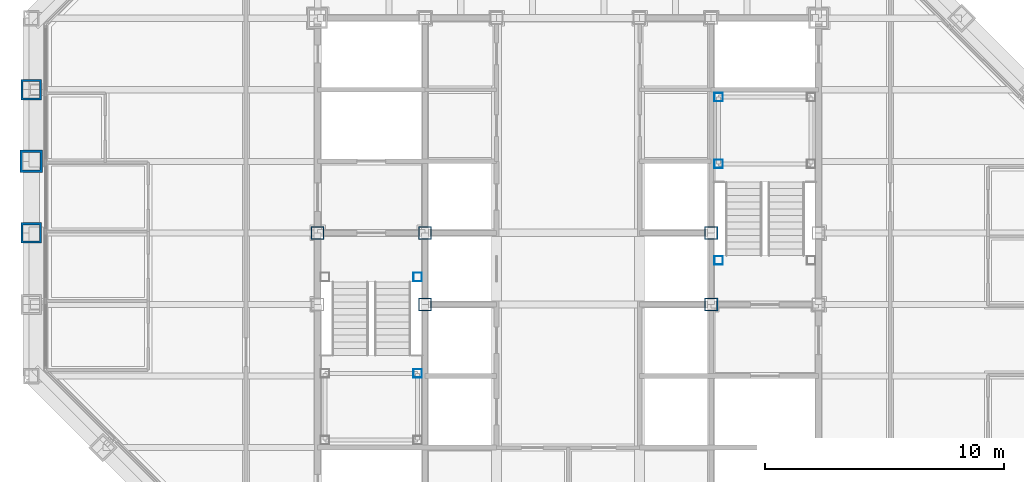
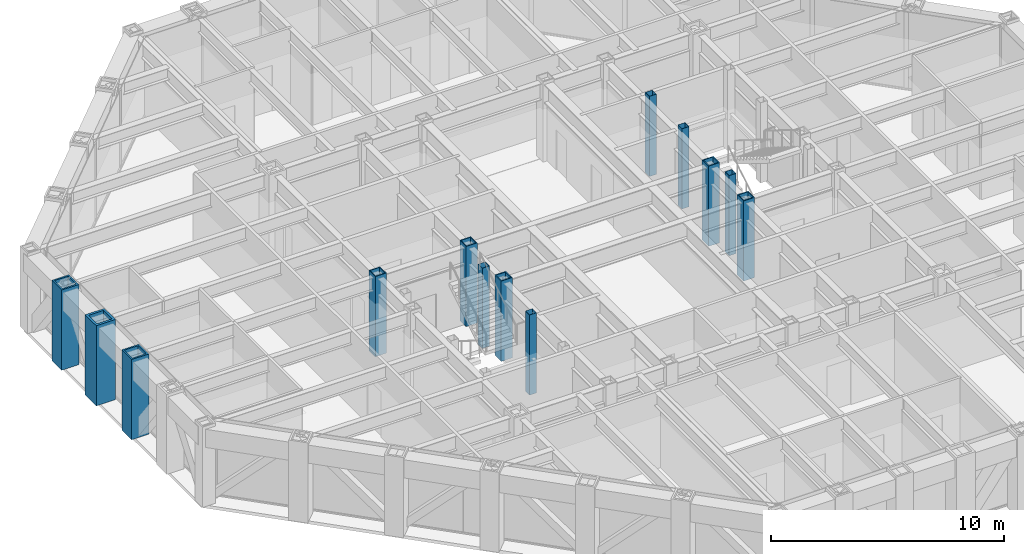
# One storey, part 2 of 16: 13 columns.
"""IFC4 building model written with IfcOpenShell, lengths in metres."""

from ifc_helpers import new_model, si_unit, direction, frame, origin, origin_2d, place, context, subcontext, project, spatial, hollow_rectangle, extrude, material, material_profile, profile_set, type_object, element, save


model = new_model("IFC4")

# Units and contexts
model_context = context("Model", 3, precision=1e-05, world=origin(), true_north=direction((0.0, 1.0)))
body_context = subcontext(model_context, "Body", "Model", "MODEL_VIEW")
ifc_project = project(units=[si_unit("LENGTHUNIT", "METRE"), si_unit("AREAUNIT", "SQUARE_METRE"), si_unit("VOLUMEUNIT", "CUBIC_METRE"), si_unit("PLANEANGLEUNIT", "RADIAN"), si_unit("MASSUNIT", "GRAM", prefix="KILO")], contexts=[model_context])

# Site, building, storey
site_placement = place(None, origin())
site = spatial("IfcSite", under=ifc_project, at=site_placement, CompositionType="ELEMENT")
building_placement = place(site_placement, origin())
building = spatial("IfcBuilding", under=site, at=building_placement, Name="Chuquiago Exchange Tower", CompositionType="ELEMENT")
storey_placement = place(building_placement, frame((0.0, 0.0, 243.300048828125)))
storey = spatial("IfcBuildingStorey", under=building, at=storey_placement, Name="L54", CompositionType="ELEMENT", Elevation=243.300048828125)

# Columns
ifc_material_1 = material(Name="Steel ASTM A572 Grade 50", Category="steel")
ifc_material_profile_1 = material_profile(ifc_material_1, hollow_rectangle(XDim=0.85009765625, YDim=0.85009765625, WallThickness=0.0849609375, at=origin_2d()), Name="BOX850X850X85")
ifc_profile_set_1 = profile_set([ifc_material_profile_1], Name="Steel ASTM A572 Grade 50")
column_type_1 = type_object("IfcColumnType", Name="C6 BOX850X850X85", PredefinedType="COLUMN", material=ifc_profile_set_1)
for number, where, z_axis, x_axis, name in (
    (1, (0.0, 30.0, 0.0), (0.0, 0.0, 1.0), (-1.0, 0.0, 0.0), "COL-L54-0_30"),
    (2, (0.0, 24.0, 0.0), (0.0, 0.0, 1.0), (-1.0, 0.0, 0.0), "COL-L54-0_24"),
):
    element("IfcColumn", number, at=place(storey_placement, frame(where, z_axis=z_axis, x_axis=x_axis)), inside=storey, type_object=column_type_1, Name=name, PredefinedType="COLUMN", context=body_context, shape_type="SweptSolid", body=[
        extrude(hollow_rectangle(XDim=0.85009765625, YDim=0.85009765625, WallThickness=0.0849609375, at=origin_2d()), origin(), (0.0, 0.0, 1.0), 4.199951171875),
    ])
ifc_material_2 = material(Name="Steel ASTM A572 Grade 50", Category="steel")
ifc_material_profile_2 = material_profile(ifc_material_2, hollow_rectangle(XDim=0.550048828125, YDim=0.550048828125, WallThickness=0.044921875, at=origin_2d()), Name="BOX550X550X45")
ifc_profile_set_2 = profile_set([ifc_material_profile_2], Name="Steel ASTM A572 Grade 50")
column_type_2 = type_object("IfcColumnType", Name="CC8 BOX550X550X45", PredefinedType="COLUMN", material=ifc_profile_set_2)
for number, where, z_axis, x_axis, name in (
    (3, (12.0, 24.0, 0.0), (0.0, 0.0, 1.0), (1.0, 0.0, 0.0), "CCOL-L54-12_24"),
    (4, (16.5, 21.0, 0.0), (0.0, 0.0, 1.0), (1.0, 0.0, 0.0), "CCOL-L54-16.5_21"),
    (5, (16.5, 24.0, 0.0), (0.0, 0.0, 1.0), (1.0, 0.0, 0.0), "CCOL-L54-16.5_24"),
    (6, (28.5, 21.0, 0.0), (0.0, 0.0, 1.0), (1.0, 0.0, 0.0), "CCOL-L54-28.5_21"),
    (7, (28.5, 24.0, 0.0), (0.0, 0.0, 1.0), (1.0, 0.0, 0.0), "CCOL-L54-28.5_24"),
):
    element("IfcColumn", number, at=place(storey_placement, frame(where, z_axis=z_axis, x_axis=x_axis)), inside=storey, type_object=column_type_2, Name=name, PredefinedType="COLUMN", context=body_context, shape_type="SweptSolid", body=[
        extrude(hollow_rectangle(XDim=0.550048828125, YDim=0.550048828125, WallThickness=0.044921875, at=origin_2d()), origin(), (0.0, 0.0, 1.0), 4.199951171875),
    ])
ifc_material_3 = material(Name="Steel ASTM A572 Grade 42", Category="steel")
ifc_material_profile_3 = material_profile(ifc_material_3, hollow_rectangle(XDim=0.949951171875, YDim=0.949951171875, WallThickness=0.110107421875, at=origin_2d()), Name="BOX950X950X110")
ifc_profile_set_3 = profile_set([ifc_material_profile_3], Name="Steel ASTM A572 Grade 42")
column_type_3 = type_object("IfcColumnType", Name="CT1 BOX950X950X110", PredefinedType="COLUMN", material=ifc_profile_set_3)
column_placement = place(storey_placement, frame((0.0, 27.0, 0.0), z_axis=(0.0, 0.0, 1.0), x_axis=(-1.0, 0.0, 0.0)))
element("IfcColumn", 8, at=column_placement, inside=storey, type_object=column_type_3, Name="COL-L54-0_27", PredefinedType="COLUMN", context=body_context, shape_type="SweptSolid", body=[
    extrude(hollow_rectangle(XDim=0.949951171875, YDim=0.949951171875, WallThickness=0.110107421875, at=origin_2d()), origin(), (0.0, 0.0, 1.0), 4.199951171875),
])
ifc_material_4 = material(Name="Steel ASTM A500 Grade C", Category="steel")
ifc_material_profile_4 = material_profile(ifc_material_4, hollow_rectangle(XDim=0.355712890625, YDim=0.355712890625, WallThickness=0.0087890625, at=origin_2d()), Name="HSS14X14X3/8")
ifc_profile_set_4 = profile_set([ifc_material_profile_4], Name="Steel ASTM A500 Grade C")
column_type_4 = type_object("IfcColumnType", Name="PT1 HSS14X14X3/8", PredefinedType="COLUMN", material=ifc_profile_set_4)
for number, where, z_axis, x_axis, name in (
    (9, (16.18994140625, 18.110107421875, 0.0), (0.0, 0.0, 1.0), (1.0, 0.0, 0.0), "Stair ST1 L54 landing post"),
    (10, (16.18994140625, 22.14990234375, 0.0), (0.0, 0.0, 1.0), (1.0, 0.0, 0.0), "Stair ST1 L54 landing post"),
    (11, (28.81005859375, 29.68994140625, 0.0), (0.0, 0.0, 1.0), (1.0, 0.0, 0.0), "Stair ST2 L54 landing post"),
    (12, (28.81005859375, 26.889892578125, 0.0), (0.0, 0.0, 1.0), (1.0, 0.0, 0.0), "Stair ST2 L54 landing post"),
    (13, (28.81005859375, 22.85009765625, 0.0), (0.0, 0.0, 1.0), (1.0, 0.0, 0.0), "Stair ST2 L54 landing post"),
):
    element("IfcColumn", number, at=place(storey_placement, frame(where, z_axis=z_axis, x_axis=x_axis)), inside=storey, type_object=column_type_4, Name=name, PredefinedType="COLUMN", context=body_context, shape_type="SweptSolid", body=[
        extrude(hollow_rectangle(XDim=0.355712890625, YDim=0.355712890625, WallThickness=0.0087890625, at=origin_2d()), origin(), (0.0, 0.0, 1.0), 4.199951171875),
    ])

save(model, "model.ifc")
